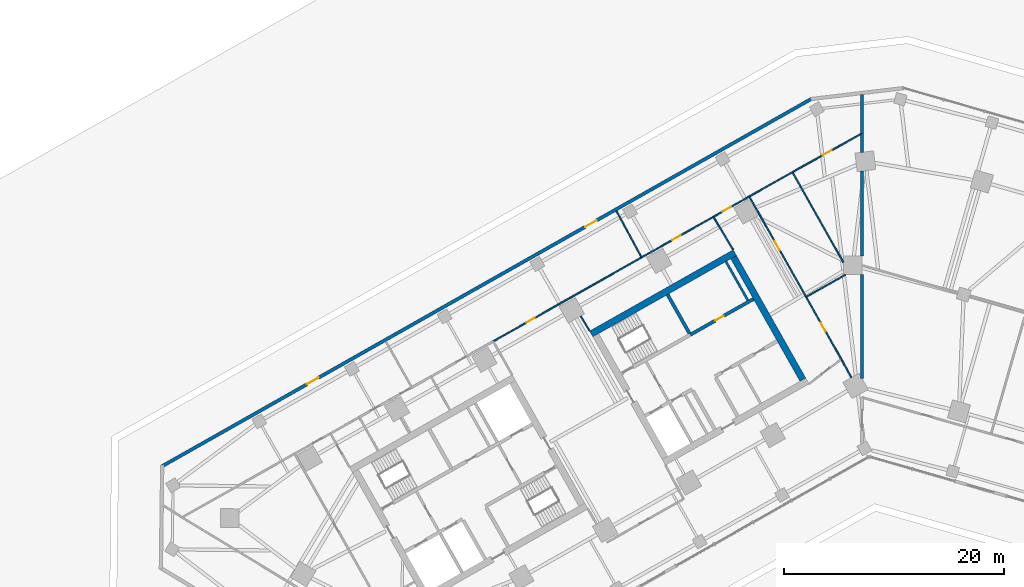
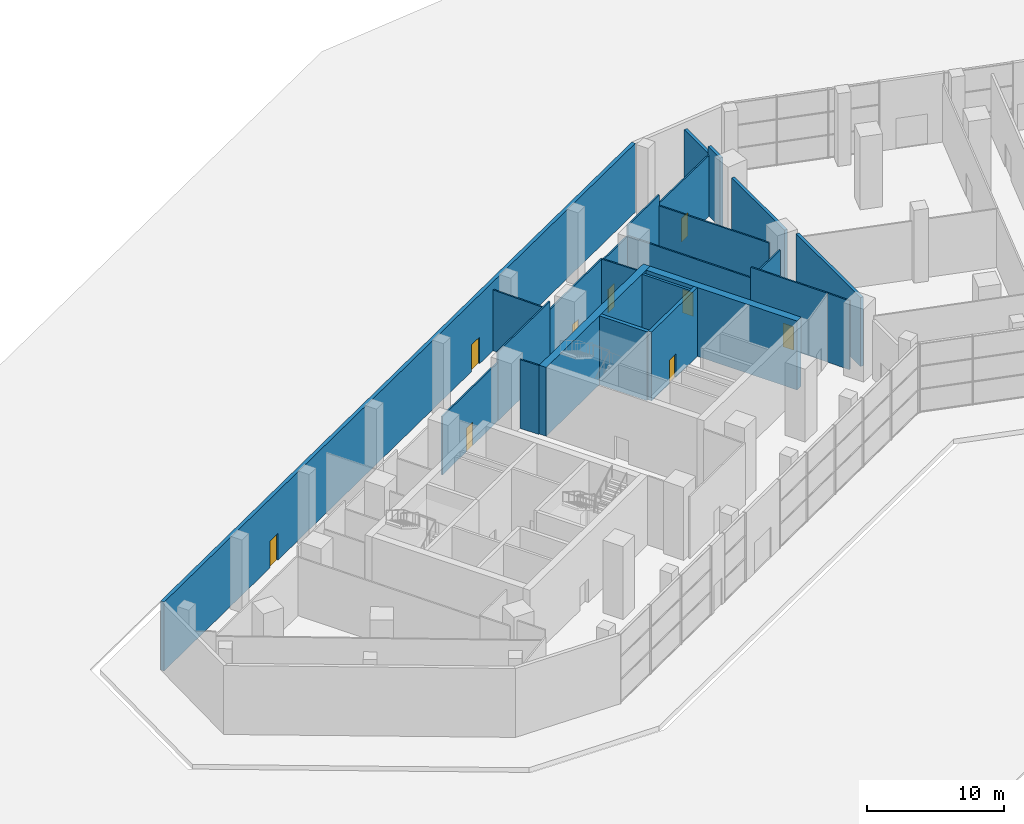
# One storey, part 14 of 22: 24 walls, 9 doors, 9 openings.
"""IFC4 building model written with IfcOpenShell, lengths in metres."""

from ifc_helpers import new_model, si_unit, direction, frame, frame_2d, origin, place, context, subcontext, project, spatial, rectangle, extrude, material, layer, layer_set, type_object, element, fill, save


model = new_model("IFC4")

# Units and contexts
model_context = context("Model", 3, precision=1e-05, world=origin(), true_north=direction((0.0, 1.0)))
body_context = subcontext(model_context, "Body", "Model", "MODEL_VIEW")
ifc_project = project(units=[si_unit("LENGTHUNIT", "METRE"), si_unit("AREAUNIT", "SQUARE_METRE"), si_unit("VOLUMEUNIT", "CUBIC_METRE"), si_unit("PLANEANGLEUNIT", "RADIAN"), si_unit("MASSUNIT", "GRAM", prefix="KILO")], contexts=[model_context])

# Site, building, storey
site_placement = place(None, origin())
site = spatial("IfcSite", under=ifc_project, at=site_placement, CompositionType="ELEMENT")
building_placement = place(site_placement, origin())
building = spatial("IfcBuilding", under=site, at=building_placement, Name="Binnacle Exchange Tower", CompositionType="ELEMENT")
storey_placement = place(building_placement, origin())
storey = spatial("IfcBuildingStorey", under=building, at=storey_placement, Name="L00", CompositionType="ELEMENT", Elevation=0.0)

# Wall, opening, door
ifc_material_1 = material(Name="Concrete C70/85", Category="concrete")
ifc_layer_1 = layer(ifc_material_1, 0.300048828125)
ifc_layer_set_1 = layer_set([ifc_layer_1], Name="Core wall - front 300")
wall_type_1 = type_object("IfcWallType", Name="Core wall - front 300", PredefinedType="SOLIDWALL", material=ifc_layer_set_1)
wall_1_placement = place(storey_placement, frame((-15.6181640625, 53.69140625, 0.0), z_axis=(0.0, 0.0, 1.0), x_axis=(0.870356769198, 0.492421663121, 0.0)))
wall_1 = element("IfcWall", 1, at=wall_1_placement, inside=storey, type_object=wall_type_1, Name="Core wall CRWC5", PredefinedType="SOLIDWALL", context=body_context, shape_type="SweptSolid", body=[
    extrude(rectangle(XDim=6.60009765625, YDim=0.300048828125, at=frame_2d((3.300048828125, 0.0))), origin(), (0.0, 0.0, 1.0), 6.14990234375),
])
opening_1_placement = place(wall_1_placement, frame((2.60009765625, 0.0, 0.0)))
opening_1 = element("IfcOpeningElement", 2, at=opening_1_placement, cuts=wall_1, Name="Opening DC10", PredefinedType="OPENING", context=body_context, shape_type="SweptSolid", body=[
    extrude(rectangle(XDim=0.89990234375, YDim=2.10009765625, at=frame_2d((0.449951171875, 1.050048828125))), frame((0.0, 0.159912109375, 0.0), z_axis=(0.0, -1.0, 0.0), x_axis=(1.0, 0.0, 0.0)), (0.0, 0.0, 1.0), 0.320068359375),
])
ifc_material_2 = material(Name="Steel door leaf", Category="steel")
door_type_1 = type_object("IfcDoorType", Name="Fire door 900", OperationType="NOTDEFINED", PredefinedType="DOOR", material=ifc_material_2)
door_1_placement = place(opening_1_placement, origin())
door_1 = element("IfcDoor", 3, at=door_1_placement, inside=storey, type_object=door_type_1, Name="Core room door STAFF PANTRY AND STORE", OperationType="SINGLE_SWING_LEFT", OverallHeight=2.10009765625, OverallWidth=0.89990234375, PredefinedType="DOOR", context=body_context, shape_type="SweptSolid", body=[
    extrude(rectangle(XDim=0.89990234375, YDim=2.10009765625, at=frame_2d((0.449951171875, 1.050048828125))), frame((0.0, 0.02490234375, 0.0), z_axis=(0.0, -1.0, 0.0), x_axis=(1.0, 0.0, 0.0)), (0.0, 0.0, 1.0), 0.050048828125),
])
fill(opening_1, door_1)

# Walls
ifc_layer_2 = layer(ifc_material_1, 0.60009765625)
ifc_layer_set_2 = layer_set([ifc_layer_2], Name="Core wall - outer 600")
wall_type_2 = type_object("IfcWallType", Name="Core wall - outer 600", PredefinedType="SOLIDWALL", material=ifc_layer_set_2)
wall_2_placement = place(storey_placement, frame((-24.622802734375, 53.76708984375, 0.0), z_axis=(0.0, 0.0, 1.0), x_axis=(0.870356627484, 0.492421913601, 0.0)))
element("IfcWall", 4, at=wall_2_placement, inside=storey, type_object=wall_type_2, Name="Core wall CRWC6", PredefinedType="SOLIDWALL", context=body_context, shape_type="SweptSolid", body=[
    extrude(rectangle(XDim=14.999755859375, YDim=0.60009765625, at=frame_2d((7.5, 0.0))), origin(), (0.0, 0.0, 1.0), 6.14990234375),
])
wall_3_placement = place(storey_placement, frame((-11.680908203125, 60.744384765625, 0.0), z_axis=(0.0, 0.0, 1.0), x_axis=(0.492426772896, -0.870353878221, 0.0)))
element("IfcWall", 5, at=wall_3_placement, inside=storey, type_object=wall_type_2, Name="Core wall CRWC24", PredefinedType="SOLIDWALL", context=body_context, shape_type="SweptSolid", body=[
    extrude(rectangle(XDim=12.7998046875, YDim=0.60009765625, at=frame_2d((6.39990234375, 0.0))), origin(), (0.0, 0.0, 1.0), 6.14990234375),
])
ifc_layer_3 = layer(ifc_material_1, 0.300048828125)
ifc_layer_set_3 = layer_set([ifc_layer_3], Name="Core wall - stair 300")
wall_type_3 = type_object("IfcWallType", Name="Core wall - stair 300", PredefinedType="SOLIDWALL", material=ifc_layer_set_3)
wall_4_placement = place(storey_placement, frame((-17.686279296875, 57.3466796875, 0.0), z_axis=(0.0, 0.0, 1.0), x_axis=(0.492420746998, -0.870357287513, 0.0)))
element("IfcWall", 6, at=wall_4_placement, inside=storey, type_object=wall_type_3, Name="Core wall CRWC14", PredefinedType="SOLIDWALL", context=body_context, shape_type="SweptSolid", body=[
    extrude(rectangle(XDim=4.049560546875, YDim=0.300048828125, at=frame_2d((2.02490234375, 0.0))), origin(), (0.0, 0.0, 1.0), 6.14990234375),
])

# Wall, openings, doors
ifc_material_3 = material(Name="Bronze aluminium louvre", Category="aluminium")
ifc_layer_4 = layer(ifc_material_3, 0.300048828125)
ifc_layer_set_4 = layer_set([ifc_layer_4], Name="External wall - podium louvre 300")
wall_type_4 = type_object("IfcWallType", Name="External wall - podium louvre 300", PredefinedType="STANDARD", material=ifc_layer_set_4)
wall_5_placement = place(storey_placement, frame((-63.706787109375, 41.701171875, 0.0), z_axis=(0.0, 0.0, 1.0), x_axis=(0.870355510268, 0.492423888277, 0.0)))
wall_5 = element("IfcWall", 7, at=wall_5_placement, inside=storey, type_object=wall_type_4, Name="External wall EW-P02 L00", PredefinedType="STANDARD", context=body_context, shape_type="SweptSolid", body=[
    extrude(rectangle(XDim=67.9033203125, YDim=0.300048828125, at=frame_2d((33.95166015625, 0.0))), origin(), (0.0, 0.0, 1.0), 6.14990234375),
])
opening_2_placement = place(wall_5_placement, frame((44.274169921875, 0.0, 0.0)))
opening_2 = element("IfcOpeningElement", 8, at=opening_2_placement, cuts=wall_5, Name="Opening D-FS01-03", PredefinedType="OPENING", context=body_context, shape_type="SweptSolid", body=[
    extrude(rectangle(XDim=1.199951171875, YDim=2.39990234375, at=frame_2d((0.60009765625, 1.199951171875))), frame((0.0, 0.159912109375, 0.0), z_axis=(0.0, -1.0, 0.0), x_axis=(1.0, 0.0, 0.0)), (0.0, 0.0, 1.0), 0.320068359375),
])
opening_3_placement = place(wall_5_placement, frame((15.222412109375, 0.0, 0.0)))
opening_3 = element("IfcOpeningElement", 9, at=opening_3_placement, cuts=wall_5, Name="Opening D-FS01-04", PredefinedType="OPENING", context=body_context, shape_type="SweptSolid", body=[
    extrude(rectangle(XDim=1.199951171875, YDim=2.39990234375, at=frame_2d((0.60009765625, 1.199951171875))), frame((0.0, 0.159912109375, 0.0), z_axis=(0.0, -1.0, 0.0), x_axis=(1.0, 0.0, 0.0)), (0.0, 0.0, 1.0), 0.320068359375),
])
ifc_material_4 = material(Name="Bronze anodised aluminium frame", Category="aluminium")
door_type_2 = type_object("IfcDoorType", Name="DS DOOR 1200x2400", OperationType="SINGLE_SWING_LEFT", PredefinedType="DOOR", material=ifc_material_4)
door_2_placement = place(opening_2_placement, origin())
door_2 = element("IfcDoor", 10, at=door_2_placement, inside=storey, type_object=door_type_2, Name="Door D-FS01-03 L00", OperationType="SINGLE_SWING_RIGHT", OverallHeight=2.39990234375, OverallWidth=1.199951171875, PredefinedType="DOOR", context=body_context, shape_type="SweptSolid", body=[
    extrude(rectangle(XDim=1.199951171875, YDim=2.39990234375, at=frame_2d((0.60009765625, 1.199951171875))), frame((0.0, 0.02490234375, 0.0), z_axis=(0.0, -1.0, 0.0), x_axis=(1.0, 0.0, 0.0)), (0.0, 0.0, 1.0), 0.050048828125),
])
fill(opening_2, door_2)
door_3_placement = place(opening_3_placement, origin())
door_3 = element("IfcDoor", 11, at=door_3_placement, inside=storey, type_object=door_type_2, Name="Door D-FS01-04 L00", OperationType="SINGLE_SWING_LEFT", OverallHeight=2.39990234375, OverallWidth=1.199951171875, PredefinedType="DOOR", context=body_context, shape_type="SweptSolid", body=[
    extrude(rectangle(XDim=1.199951171875, YDim=2.39990234375, at=frame_2d((0.60009765625, 1.199951171875))), frame((0.0, 0.02490234375, 0.0), z_axis=(0.0, -1.0, 0.0), x_axis=(1.0, 0.0, 0.0)), (0.0, 0.0, 1.0), 0.050048828125),
])
fill(opening_3, door_3)

# Walls
ifc_material_5 = material(Name="Concrete fire wall C30/37", Category="concrete")
ifc_layer_5 = layer(ifc_material_5, 0.25)
ifc_layer_set_5 = layer_set([ifc_layer_5], Name="Fire wall - compartment 250")
wall_type_5 = type_object("IfcWallType", Name="Fire wall - compartment 250", PredefinedType="PARTITIONING", material=ifc_layer_set_5)
wall_6_placement = place(storey_placement, frame((0.0, 49.72607421875, 0.0), z_axis=(0.0, 0.0, 1.0), x_axis=(0.0, 1.0, 0.0)))
element("IfcWall", 12, at=wall_6_placement, inside=storey, type_object=wall_type_5, Name="Fire Wall W41", PredefinedType="PARTITIONING", context=body_context, shape_type="SweptSolid", body=[
    extrude(rectangle(XDim=9.423828125, YDim=0.25, at=frame_2d((4.7119140625, 0.0))), origin(), (0.0, 0.0, 1.0), 6.14990234375),
])
wall_7_placement = place(storey_placement, frame((0.0, 60.85009765625, 0.0), z_axis=(0.0, 0.0, 1.0), x_axis=(0.0, 1.0, 0.0)))
element("IfcWall", 13, at=wall_7_placement, inside=storey, type_object=wall_type_5, Name="Fire Wall W43", PredefinedType="PARTITIONING", context=body_context, shape_type="SweptSolid", body=[
    extrude(rectangle(XDim=7.722900390625, YDim=0.25, at=frame_2d((3.861328125, 0.0))), origin(), (0.0, 0.0, 1.0), 5.429931640625),
])
wall_8_placement = place(storey_placement, frame((0.0, 70.284912109375, 0.0), z_axis=(0.0, 0.0, 1.0), x_axis=(0.0, 1.0, 0.0)))
element("IfcWall", 14, at=wall_8_placement, inside=storey, type_object=wall_type_5, Name="Fire Wall W44", PredefinedType="PARTITIONING", context=body_context, shape_type="SweptSolid", body=[
    extrude(rectangle(XDim=1.715087890625, YDim=0.25, at=frame_2d((0.857421875, 0.0))), origin(), (0.0, 0.0, 1.0), 6.14990234375),
])
wall_9_placement = place(storey_placement, frame((0.0, 72.0, 0.0), z_axis=(0.0, 0.0, 1.0), x_axis=(0.0, 1.0, 0.0)))
element("IfcWall", 15, at=wall_9_placement, inside=storey, type_object=wall_type_5, Name="Fire Wall W45", PredefinedType="PARTITIONING", context=body_context, shape_type="SweptSolid", body=[
    extrude(rectangle(XDim=3.52099609375, YDim=0.25, at=frame_2d((1.760498046875, 0.0))), origin(), (0.0, 0.0, 1.0), 5.52392578125),
])

# Wall, opening, door
ifc_material_6 = material(Name="Gypsum partition")
ifc_layer_6 = layer(ifc_material_6, 0.125)
ifc_layer_set_6 = layer_set([ifc_layer_6], Name="Partition 125")
wall_type_6 = type_object("IfcWallType", Name="Partition 125", PredefinedType="PARTITIONING", material=ifc_layer_set_6)
wall_10_placement = place(storey_placement, frame((-33.535888671875, 53.090087890625, 0.0), z_axis=(0.0, 0.0, 1.0), x_axis=(0.870327439455, 0.492473499928, 0.0)))
wall_10 = element("IfcWall", 16, at=wall_10_placement, inside=storey, type_object=wall_type_6, Name="Partition W21", PredefinedType="PARTITIONING", context=body_context, shape_type="SweptSolid", body=[
    extrude(rectangle(XDim=8.000244140625, YDim=0.125, at=frame_2d((4.0, 0.0))), origin(), (0.0, 0.0, 1.0), 5.2119140625),
])
opening_4_placement = place(wall_10_placement, frame((3.449951171875, 0.0, 0.0)))
opening_4 = element("IfcOpeningElement", 17, at=opening_4_placement, cuts=wall_10, Name="Opening DL00-05", PredefinedType="OPENING", context=body_context, shape_type="SweptSolid", body=[
    extrude(rectangle(XDim=0.89990234375, YDim=2.10009765625, at=frame_2d((0.449951171875, 1.050048828125))), frame((0.0, 0.072509765625, 0.0), z_axis=(0.0, -1.0, 0.0), x_axis=(1.0, 0.0, 0.0)), (0.0, 0.0, 1.0), 0.14501953125),
])
ifc_material_7 = material(Name="Timber door leaf", Category="wood")
door_type_3 = type_object("IfcDoorType", Name="Door 900", OperationType="NOTDEFINED", PredefinedType="DOOR", material=ifc_material_7)
door_4_placement = place(opening_4_placement, origin())
door_4 = element("IfcDoor", 18, at=door_4_placement, inside=storey, type_object=door_type_3, Name="Door DL00-05", OperationType="SINGLE_SWING_LEFT", OverallHeight=2.10009765625, OverallWidth=0.89990234375, PredefinedType="DOOR", context=body_context, shape_type="SweptSolid", body=[
    extrude(rectangle(XDim=0.89990234375, YDim=2.10009765625, at=frame_2d((0.449951171875, 1.050048828125))), frame((0.0, 0.02490234375, 0.0), z_axis=(0.0, -1.0, 0.0), x_axis=(1.0, 0.0, 0.0)), (0.0, 0.0, 1.0), 0.050048828125),
])
fill(opening_4, door_4)

# Walls
wall_11_placement = place(storey_placement, frame((-26.572998046875, 57.030029296875, 0.0), z_axis=(0.0, 0.0, 1.0), x_axis=(0.870354792164, 0.492425157519, 0.0)))
element("IfcWall", 19, at=wall_11_placement, inside=storey, type_object=wall_type_6, Name="Partition W22", PredefinedType="PARTITIONING", context=body_context, shape_type="SweptSolid", body=[
    extrude(rectangle(XDim=7.499267578125, YDim=0.125, at=frame_2d((3.74951171875, 0.0))), origin(), (0.0, 0.0, 1.0), 6.14990234375),
])
wall_12_placement = place(storey_placement, frame((-25.5869140625, 55.386962890625, 0.0), z_axis=(0.0, 0.0, 1.0), x_axis=(0.514767546849, -0.857329792268, 0.0)))
element("IfcWall", 20, at=wall_12_placement, inside=storey, type_object=wall_type_6, Name="Partition W23", PredefinedType="PARTITIONING", context=body_context, shape_type="SweptSolid", body=[
    extrude(rectangle(XDim=1.5849609375, YDim=0.125, at=frame_2d((0.79248046875, 0.0))), origin(), (0.0, 0.0, 1.0), 6.14990234375),
])
wall_13_placement = place(storey_placement, frame((-22.330078125, 64.93896484375, 0.0), z_axis=(0.0, 0.0, 1.0), x_axis=(0.476360236723, -0.879250206067, 0.0)))
element("IfcWall", 21, at=wall_13_placement, inside=storey, type_object=wall_type_6, Name="Partition W26", PredefinedType="PARTITIONING", context=body_context, shape_type="SweptSolid", body=[
    extrude(rectangle(XDim=4.795166015625, YDim=0.125, at=frame_2d((2.3974609375, 0.0))), origin(), (0.0, 0.0, 1.0), 5.429931640625),
])

# Wall, opening, door
wall_14_placement = place(storey_placement, frame((-20.0458984375, 60.722900390625, 0.0), z_axis=(0.0, 0.0, 1.0), x_axis=(0.870364520461, 0.492407962489, 0.0)))
wall_14 = element("IfcWall", 22, at=wall_14_placement, inside=storey, type_object=wall_type_6, Name="Partition W27", PredefinedType="PARTITIONING", context=body_context, shape_type="SweptSolid", body=[
    extrude(rectangle(XDim=7.5, YDim=0.125, at=frame_2d((3.75, 0.0))), origin(), (0.0, 0.0, 1.0), 5.429931640625),
])
opening_5_placement = place(wall_14_placement, frame((3.199951171875, 0.0, 0.0)))
opening_5 = element("IfcOpeningElement", 23, at=opening_5_placement, cuts=wall_14, Name="Opening DL00-16", PredefinedType="OPENING", context=body_context, shape_type="SweptSolid", body=[
    extrude(rectangle(XDim=0.89990234375, YDim=2.10009765625, at=frame_2d((0.449951171875, 1.050048828125))), frame((0.0, 0.072509765625, 0.0), z_axis=(0.0, -1.0, 0.0), x_axis=(1.0, 0.0, 0.0)), (0.0, 0.0, 1.0), 0.14501953125),
])
door_5_placement = place(opening_5_placement, frame((0.89990234375, 0.0, 0.0), z_axis=(0.0, 0.0, 1.0), x_axis=(-1.0, 0.0, 0.0)))
door_5 = element("IfcDoor", 24, at=door_5_placement, inside=storey, type_object=door_type_3, Name="Door DL00-16", OperationType="SINGLE_SWING_RIGHT", OverallHeight=2.10009765625, OverallWidth=0.89990234375, PredefinedType="DOOR", context=body_context, shape_type="SweptSolid", body=[
    extrude(rectangle(XDim=0.89990234375, YDim=2.10009765625, at=frame_2d((0.449951171875, 1.050048828125))), frame((0.0, 0.02490234375, 0.0), z_axis=(0.0, -1.0, 0.0), x_axis=(1.0, 0.0, 0.0)), (0.0, 0.0, 1.0), 0.050048828125),
])
fill(opening_5, door_5)

# Wall
wall_15_placement = place(storey_placement, frame((-13.51806640625, 64.416015625, 0.0), z_axis=(0.0, 0.0, 1.0), x_axis=(0.514875058642, -0.857265229663, 0.0)))
element("IfcWall", 25, at=wall_15_placement, inside=storey, type_object=wall_type_6, Name="Partition W29", PredefinedType="PARTITIONING", context=body_context, shape_type="SweptSolid", body=[
    extrude(rectangle(XDim=3.501708984375, YDim=0.125, at=frame_2d((1.7509765625, 0.0))), origin(), (0.0, 0.0, 1.0), 5.429931640625),
])

# Wall, opening, door
wall_16_placement = place(storey_placement, frame((-13.51806640625, 64.416015625, 0.0), z_axis=(0.0, 0.0, 1.0), x_axis=(0.870338454914, 0.492454032268, 0.0)))
wall_16 = element("IfcWall", 26, at=wall_16_placement, inside=storey, type_object=wall_type_6, Name="Partition W30", PredefinedType="PARTITIONING", context=body_context, shape_type="SweptSolid", body=[
    extrude(rectangle(XDim=3.75048828125, YDim=0.125, at=frame_2d((1.875244140625, 0.0))), origin(), (0.0, 0.0, 1.0), 5.2119140625),
])
opening_6_placement = place(wall_16_placement, frame((0.949951171875, 0.0, 0.0)))
opening_6 = element("IfcOpeningElement", 27, at=opening_6_placement, cuts=wall_16, Name="Opening DL00-06", PredefinedType="OPENING", context=body_context, shape_type="SweptSolid", body=[
    extrude(rectangle(XDim=0.89990234375, YDim=2.10009765625, at=frame_2d((0.449951171875, 1.050048828125))), frame((0.0, 0.072509765625, 0.0), z_axis=(0.0, -1.0, 0.0), x_axis=(1.0, 0.0, 0.0)), (0.0, 0.0, 1.0), 0.14501953125),
])
door_6_placement = place(opening_6_placement, origin())
door_6 = element("IfcDoor", 28, at=door_6_placement, inside=storey, type_object=door_type_3, Name="Door DL00-06", OperationType="SINGLE_SWING_LEFT", OverallHeight=2.10009765625, OverallWidth=0.89990234375, PredefinedType="DOOR", context=body_context, shape_type="SweptSolid", body=[
    extrude(rectangle(XDim=0.89990234375, YDim=2.10009765625, at=frame_2d((0.449951171875, 1.050048828125))), frame((0.0, 0.02490234375, 0.0), z_axis=(0.0, -1.0, 0.0), x_axis=(1.0, 0.0, 0.0)), (0.0, 0.0, 1.0), 0.050048828125),
])
fill(opening_6, door_6)

# Wall
wall_17_placement = place(storey_placement, frame((-10.25390625, 66.262939453125, 0.0), z_axis=(0.0, 0.0, 1.0), x_axis=(0.870454697906, 0.492248533664, 0.0)))
element("IfcWall", 29, at=wall_17_placement, inside=storey, type_object=wall_type_6, Name="Partition W31", PredefinedType="PARTITIONING", context=body_context, shape_type="SweptSolid", body=[
    extrude(rectangle(XDim=4.5, YDim=0.125, at=frame_2d((2.25, 0.0))), origin(), (0.0, 0.0, 1.0), 6.14990234375),
])

# Wall, opening, door
wall_18_placement = place(storey_placement, frame((-10.25390625, 66.262939453125, 0.0), z_axis=(0.0, 0.0, 1.0), x_axis=(0.492448703838, -0.87034146982, 0.0)))
wall_18 = element("IfcWall", 30, at=wall_18_placement, inside=storey, type_object=wall_type_6, Name="Partition W32", PredefinedType="PARTITIONING", context=body_context, shape_type="SweptSolid", body=[
    extrude(rectangle(XDim=10.50048828125, YDim=0.125, at=frame_2d((5.250244140625, 0.0))), origin(), (0.0, 0.0, 1.0), 5.2119140625),
])
opening_7_placement = place(wall_18_placement, frame((4.699951171875, 0.0, 0.0)))
opening_7 = element("IfcOpeningElement", 31, at=opening_7_placement, cuts=wall_18, Name="Opening DL00-09", PredefinedType="OPENING", context=body_context, shape_type="SweptSolid", body=[
    extrude(rectangle(XDim=0.89990234375, YDim=2.10009765625, at=frame_2d((0.449951171875, 1.050048828125))), frame((0.0, 0.072509765625, 0.0), z_axis=(0.0, -1.0, 0.0), x_axis=(1.0, 0.0, 0.0)), (0.0, 0.0, 1.0), 0.14501953125),
])
door_7_placement = place(opening_7_placement, origin())
door_7 = element("IfcDoor", 32, at=door_7_placement, inside=storey, type_object=door_type_3, Name="Door DL00-09", OperationType="SINGLE_SWING_LEFT", OverallHeight=2.10009765625, OverallWidth=0.89990234375, PredefinedType="DOOR", context=body_context, shape_type="SweptSolid", body=[
    extrude(rectangle(XDim=0.89990234375, YDim=2.10009765625, at=frame_2d((0.449951171875, 1.050048828125))), frame((0.0, 0.02490234375, 0.0), z_axis=(0.0, -1.0, 0.0), x_axis=(1.0, 0.0, 0.0)), (0.0, 0.0, 1.0), 0.050048828125),
])
fill(opening_7, door_7)

# Wall
wall_19_placement = place(storey_placement, frame((-6.3369140625, 68.47802734375, 0.0), z_axis=(0.0, 0.0, 1.0), x_axis=(0.492412602502, -0.870361895361, 0.0)))
element("IfcWall", 33, at=wall_19_placement, inside=storey, type_object=wall_type_6, Name="Partition W33", PredefinedType="PARTITIONING", context=body_context, shape_type="SweptSolid", body=[
    extrude(rectangle(XDim=9.416748046875, YDim=0.125, at=frame_2d((4.70849609375, 0.0))), origin(), (0.0, 0.0, 1.0), 5.2119140625),
])

# Wall, opening, door
wall_20_placement = place(storey_placement, frame((-6.3369140625, 68.47802734375, 0.0), z_axis=(0.0, 0.0, 1.0), x_axis=(0.87407148623, 0.485797320864, 0.0)))
wall_20 = element("IfcWall", 34, at=wall_20_placement, inside=storey, type_object=wall_type_6, Name="Partition W34", PredefinedType="PARTITIONING", context=body_context, shape_type="SweptSolid", body=[
    extrude(rectangle(XDim=7.25, YDim=0.125, at=frame_2d((3.625, 0.0))), origin(), (0.0, 0.0, 1.0), 5.429931640625),
])
opening_8_placement = place(wall_20_placement, frame((3.199951171875, 0.0, 0.0)))
opening_8 = element("IfcOpeningElement", 35, at=opening_8_placement, cuts=wall_20, Name="Opening DL00-11", PredefinedType="OPENING", context=body_context, shape_type="SweptSolid", body=[
    extrude(rectangle(XDim=0.89990234375, YDim=2.10009765625, at=frame_2d((0.449951171875, 1.050048828125))), frame((0.0, 0.072509765625, 0.0), z_axis=(0.0, -1.0, 0.0), x_axis=(1.0, 0.0, 0.0)), (0.0, 0.0, 1.0), 0.14501953125),
])
door_8_placement = place(opening_8_placement, frame((0.89990234375, 0.0, 0.0), z_axis=(0.0, 0.0, 1.0), x_axis=(-1.0, 0.0, 0.0)))
door_8 = element("IfcDoor", 36, at=door_8_placement, inside=storey, type_object=door_type_3, Name="Door DL00-11", OperationType="SINGLE_SWING_LEFT", OverallHeight=2.10009765625, OverallWidth=0.89990234375, PredefinedType="DOOR", context=body_context, shape_type="SweptSolid", body=[
    extrude(rectangle(XDim=0.89990234375, YDim=2.10009765625, at=frame_2d((0.449951171875, 1.050048828125))), frame((0.0, 0.02490234375, 0.0), z_axis=(0.0, -1.0, 0.0), x_axis=(1.0, 0.0, 0.0)), (0.0, 0.0, 1.0), 0.050048828125),
])
fill(opening_8, door_8)

wall_21_placement = place(storey_placement, frame((-5.0830078125, 57.1240234375, 0.0), z_axis=(0.0, 0.0, 1.0), x_axis=(0.49235182095, -0.870396280097, 0.0)))
wall_21 = element("IfcWall", 37, at=wall_21_placement, inside=storey, type_object=wall_type_6, Name="Partition W35", PredefinedType="PARTITIONING", context=body_context, shape_type="SweptSolid", body=[
    extrude(rectangle(XDim=6.499267578125, YDim=0.125, at=frame_2d((3.24951171875, 0.0))), origin(), (0.0, 0.0, 1.0), 6.14990234375),
])
opening_9_placement = place(wall_21_placement, frame((2.699951171875, 0.0, 0.0)))
opening_9 = element("IfcOpeningElement", 38, at=opening_9_placement, cuts=wall_21, Name="Opening DL00-10", PredefinedType="OPENING", context=body_context, shape_type="SweptSolid", body=[
    extrude(rectangle(XDim=0.89990234375, YDim=2.10009765625, at=frame_2d((0.449951171875, 1.050048828125))), frame((0.0, 0.072509765625, 0.0), z_axis=(0.0, -1.0, 0.0), x_axis=(1.0, 0.0, 0.0)), (0.0, 0.0, 1.0), 0.14501953125),
])
door_9_placement = place(opening_9_placement, origin())
door_9 = element("IfcDoor", 39, at=door_9_placement, inside=storey, type_object=door_type_3, Name="Door DL00-10", OperationType="SINGLE_SWING_LEFT", OverallHeight=2.10009765625, OverallWidth=0.89990234375, PredefinedType="DOOR", context=body_context, shape_type="SweptSolid", body=[
    extrude(rectangle(XDim=0.89990234375, YDim=2.10009765625, at=frame_2d((0.449951171875, 1.050048828125))), frame((0.0, 0.02490234375, 0.0), z_axis=(0.0, -1.0, 0.0), x_axis=(1.0, 0.0, 0.0)), (0.0, 0.0, 1.0), 0.050048828125),
])
fill(opening_9, door_9)

# Walls
wall_22_placement = place(storey_placement, frame((-5.0830078125, 57.1240234375, 0.0), z_axis=(0.0, 0.0, 1.0), x_axis=(0.870317335247, 0.492491356238, 0.0)))
element("IfcWall", 40, at=wall_22_placement, inside=storey, type_object=wall_type_6, Name="Partition W36", PredefinedType="PARTITIONING", context=body_context, shape_type="SweptSolid", body=[
    extrude(rectangle(XDim=4.113525390625, YDim=0.125, at=frame_2d((2.056640625, 0.0))), origin(), (0.0, 0.0, 1.0), 5.2119140625),
])
wall_23_placement = place(storey_placement, frame((-1.883056640625, 51.467041015625, 0.0), z_axis=(0.0, 0.0, 1.0), x_axis=(0.477162952876, -0.878814836244, 0.0)))
element("IfcWall", 41, at=wall_23_placement, inside=storey, type_object=wall_type_6, Name="Partition W38", PredefinedType="PARTITIONING", context=body_context, shape_type="SweptSolid", body=[
    extrude(rectangle(XDim=1.89453125, YDim=0.125, at=frame_2d((0.947265625, 0.0))), origin(), (0.0, 0.0, 1.0), 6.14990234375),
])
ifc_material_8 = material(Name="Masonry block wall", Category="masonry")
ifc_layer_7 = layer(ifc_material_8, 0.199951171875)
ifc_layer_set_7 = layer_set([ifc_layer_7], Name="Riser wall 200")
wall_type_7 = type_object("IfcWallType", Name="Riser wall 200", PredefinedType="SOLIDWALL", material=ifc_layer_set_7)
wall_24_placement = place(storey_placement, frame((-12.377197265625, 60.3505859375, 0.0), z_axis=(0.0, 0.0, 1.0), x_axis=(0.492440575896, -0.870346068648, 0.0)))
element("IfcWall", 42, at=wall_24_placement, inside=storey, type_object=wall_type_7, Name="Core wall CRWC23", PredefinedType="SOLIDWALL", context=body_context, shape_type="SweptSolid", body=[
    extrude(rectangle(XDim=4.050048828125, YDim=0.199951171875, at=frame_2d((2.02490234375, 0.0))), origin(), (0.0, 0.0, 1.0), 6.14990234375),
])

save(model, "model.ifc")
